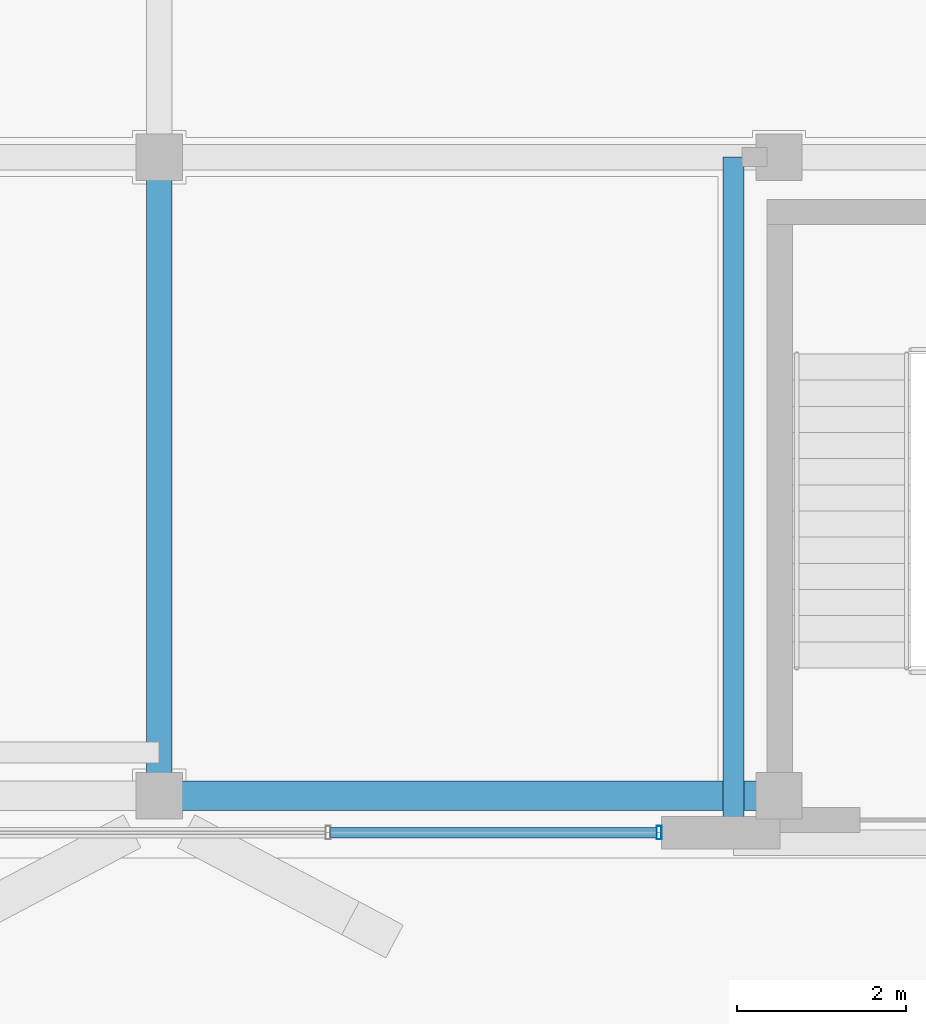
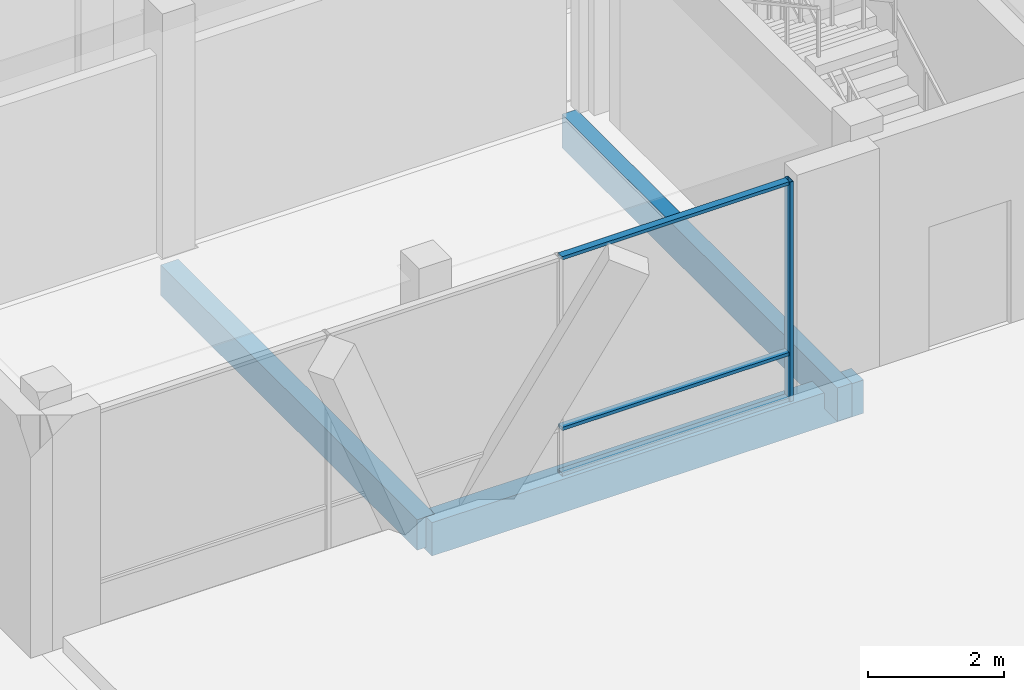
# One storey, part 130 of 233: 4 members, 3 beams, 1 element without a shape of its own.
"""IFC4 building model written with IfcOpenShell, lengths in metres."""

from ifc_helpers import new_model, si_unit, direction, frame, origin, origin_2d, place, context, subcontext, project, spatial, rectangle, hollow_rectangle, extrude, material, material_profile, profile_set, type_object, element, aggregate, save


model = new_model("IFC4")

# Units and contexts
model_context = context("Model", 3, precision=1e-05, world=origin(), true_north=direction((0.0, 1.0)))
body_context = subcontext(model_context, "Body", "Model", "MODEL_VIEW")
ifc_project = project(units=[si_unit("LENGTHUNIT", "METRE"), si_unit("AREAUNIT", "SQUARE_METRE"), si_unit("VOLUMEUNIT", "CUBIC_METRE"), si_unit("PLANEANGLEUNIT", "RADIAN"), si_unit("MASSUNIT", "GRAM", prefix="KILO")], contexts=[model_context])

# Site, building, storey
site_placement = place(None, origin())
site = spatial("IfcSite", under=ifc_project, at=site_placement, CompositionType="ELEMENT")
building_placement = place(site_placement, origin())
building = spatial("IfcBuilding", under=site, at=building_placement, Name="Zavelmont Quarter", CompositionType="ELEMENT")
storey_placement = place(building_placement, origin())
storey = spatial("IfcBuildingStorey", under=building, at=storey_placement, Name="L00", CompositionType="ELEMENT", Elevation=0.0)

# Beams
ifc_material_1 = material(Name="Concrete C35/45", Category="concrete")
ifc_material_profile_1 = material_profile(ifc_material_1, rectangle(XDim=0.35009765625, YDim=0.60009765625, at=origin_2d()), Name="RC350X600")
ifc_profile_set_1 = profile_set([ifc_material_profile_1], Name="Concrete C35/45")
beam_type_1 = type_object("IfcBeamType", Name="BM01", PredefinedType="SPANDREL", material=ifc_profile_set_1)
beam_1_placement = place(storey_placement, frame((119.699951171875, 98.0400390625, -0.6201171875), z_axis=(1.0, 0.0, 0.0), x_axis=(0.0, 1.0, 0.0)))
element("IfcBeam", 1, at=beam_1_placement, inside=storey, type_object=beam_type_1, Name="L00 beam BM01 18/P to 19/P", PredefinedType="SPANDREL", context=body_context, shape_type="SweptSolid", body=[
    extrude(rectangle(XDim=0.35009765625, YDim=0.60009765625, at=origin_2d()), origin(), (0.0, 0.0, 1.0), 7.340087890625),
])
ifc_material_profile_2 = material_profile(ifc_material_1, rectangle(XDim=0.300048828125, YDim=0.550048828125, at=origin_2d()), Name="RC300X550")
ifc_profile_set_2 = profile_set([ifc_material_profile_2], Name="Concrete C35/45")
beam_type_2 = type_object("IfcBeamType", Name="BM02", PredefinedType="SPANDREL", material=ifc_profile_set_2)
beam_2_placement = place(storey_placement, frame((119.699951171875, 98.0400390625, -0.594970703125), z_axis=(0.0, 1.0, 0.0), x_axis=(-1.0, 0.0, 0.0)))
element("IfcBeam", 2, at=beam_2_placement, inside=storey, type_object=beam_type_2, Name="L00 beam BM02 18/P to 18/Q", PredefinedType="SPANDREL", context=body_context, shape_type="SweptSolid", body=[
    extrude(rectangle(XDim=0.300048828125, YDim=0.550048828125, at=origin_2d()), origin(), (0.0, 0.0, 1.0), 7.56005859375),
])
ifc_material_2 = material(Name="Concrete C40/50", Category="concrete")
ifc_material_profile_3 = material_profile(ifc_material_2, rectangle(XDim=0.25, YDim=0.60009765625, at=origin_2d()), Name="RC250X600")
ifc_profile_set_3 = profile_set([ifc_material_profile_3], Name="Concrete C40/50")
beam_type_3 = type_object("IfcBeamType", Name="BM18", PredefinedType="BEAM", material=ifc_profile_set_3)
beam_3_placement = place(storey_placement, frame((126.5, 105.60009765625, -0.300048828125), z_axis=(0.0, -1.0, 0.0), x_axis=(1.0, 0.0, 0.0)))
element("IfcBeam", 3, at=beam_3_placement, inside=storey, type_object=beam_type_3, Name="L00 beam BM18 19/Q to 19/P", PredefinedType="BEAM", context=body_context, shape_type="SweptSolid", body=[
    extrude(rectangle(XDim=0.25, YDim=0.60009765625, at=origin_2d()), origin(), (0.0, 0.0, 1.0), 8.1201171875),
])

# Curtain wall, members
ifc_material_3 = material(Name="Thermally broken aluminium and double low-E safety glazing", Category="aluminium")
curtain_wall_type = type_object("IfcCurtainWallType", Name="CW-1185X395", PredefinedType="NOTDEFINED", material=ifc_material_3)
curtain_wall_placement = place(storey_placement, origin())
curtain_wall = element("IfcCurtainWall", 4, at=curtain_wall_placement, inside=storey, type_object=curtain_wall_type, Name="L00 unitised curtain wall CW-1185X395", PredefinedType="NOTDEFINED")
ifc_material_4 = material(Name="Powder-coated aluminium EN AW-6063-T6", Category="aluminium")
ifc_material_profile_4 = material_profile(ifc_material_4, hollow_rectangle(XDim=0.06005859375, YDim=0.159912109375, WallThickness=0.00390625, at=origin_2d()), Name="CWM60X160")
ifc_profile_set_4 = profile_set([ifc_material_profile_4], Name="Powder-coated aluminium EN AW-6063-T6")
member_type_1 = type_object("IfcMemberType", Name="CWM01", PredefinedType="MULLION", material=ifc_profile_set_4)
member_1_placement = place(storey_placement, frame((125.6201171875, 97.60009765625, 0.0), z_axis=(0.0, 0.0, 1.0), x_axis=(1.0, 0.0, 0.0)))
member_1 = element("IfcMember", 5, at=member_1_placement, type_object=member_type_1, Name="CW-1185X395 mullion 4", PredefinedType="MULLION", context=body_context, shape_type="SweptSolid", body=[
    extrude(hollow_rectangle(XDim=0.06005859375, YDim=0.159912109375, WallThickness=0.00390625, at=origin_2d()), origin(), (0.0, 0.0, 1.0), 3.949951171875),
])
ifc_material_profile_5 = material_profile(ifc_material_4, hollow_rectangle(XDim=0.1201171875, YDim=0.06005859375, WallThickness=0.00390625, at=origin_2d()), Name="CWT60X120")
ifc_profile_set_5 = profile_set([ifc_material_profile_5], Name="Powder-coated aluminium EN AW-6063-T6")
member_type_2 = type_object("IfcMemberType", Name="CWT01", PredefinedType="NOTDEFINED", material=ifc_profile_set_5)
member_2_placement = place(storey_placement, frame((121.72998046875, 97.60009765625, 0.030029296875), z_axis=(1.0, 0.0, 0.0), x_axis=(0.0, 1.0, 0.0)))
member_2 = element("IfcMember", 6, at=member_2_placement, type_object=member_type_2, Name="CW-1185X395 transom 3.1", ObjectType="TRANSOM", PredefinedType="USERDEFINED", context=body_context, shape_type="SweptSolid", body=[
    extrude(hollow_rectangle(XDim=0.1201171875, YDim=0.06005859375, WallThickness=0.00390625, at=origin_2d()), origin(), (0.0, 0.0, 1.0), 3.860107421875),
])
member_3_placement = place(storey_placement, frame((121.72998046875, 97.60009765625, 0.85009765625), z_axis=(1.0, 0.0, 0.0), x_axis=(0.0, 1.0, 0.0)))
member_3 = element("IfcMember", 7, at=member_3_placement, type_object=member_type_2, Name="CW-1185X395 transom 3.2", ObjectType="TRANSOM", PredefinedType="USERDEFINED", context=body_context, shape_type="SweptSolid", body=[
    extrude(hollow_rectangle(XDim=0.1201171875, YDim=0.06005859375, WallThickness=0.00390625, at=origin_2d()), origin(), (0.0, 0.0, 1.0), 3.860107421875),
])
member_4_placement = place(storey_placement, frame((121.72998046875, 97.60009765625, 3.919921875), z_axis=(1.0, 0.0, 0.0), x_axis=(0.0, 1.0, 0.0)))
member_4 = element("IfcMember", 8, at=member_4_placement, type_object=member_type_2, Name="CW-1185X395 transom 3.3", ObjectType="TRANSOM", PredefinedType="USERDEFINED", context=body_context, shape_type="SweptSolid", body=[
    extrude(hollow_rectangle(XDim=0.1201171875, YDim=0.06005859375, WallThickness=0.00390625, at=origin_2d()), origin(), (0.0, 0.0, 1.0), 3.860107421875),
])
aggregate(curtain_wall, [member_1, member_2, member_3, member_4])

save(model, "model.ifc")
